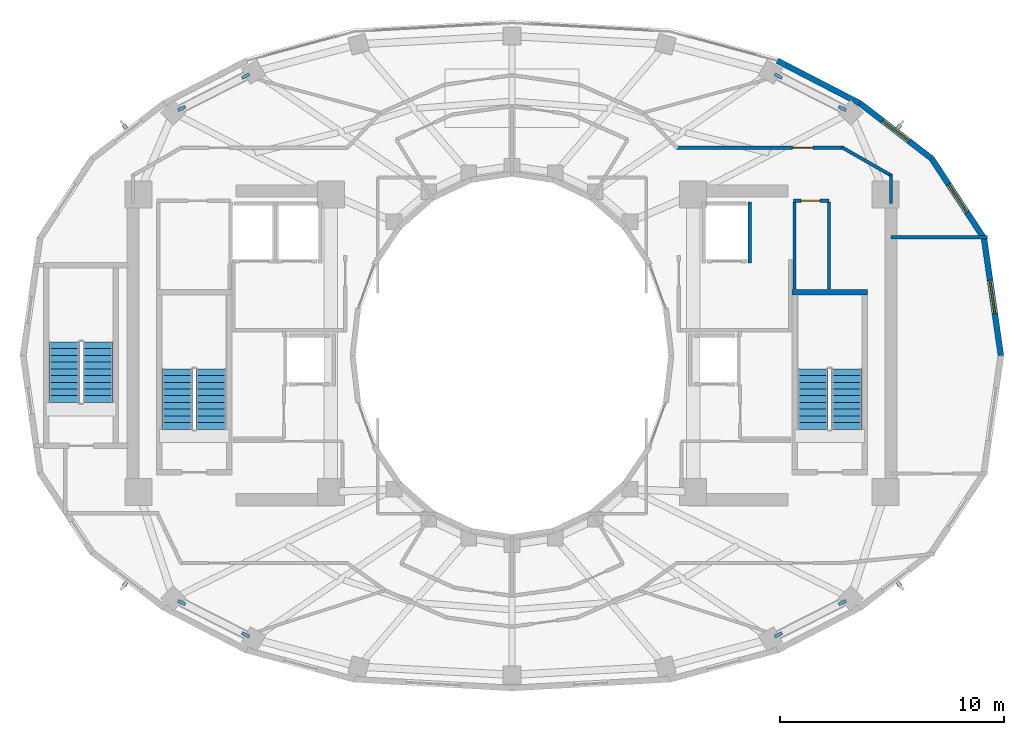
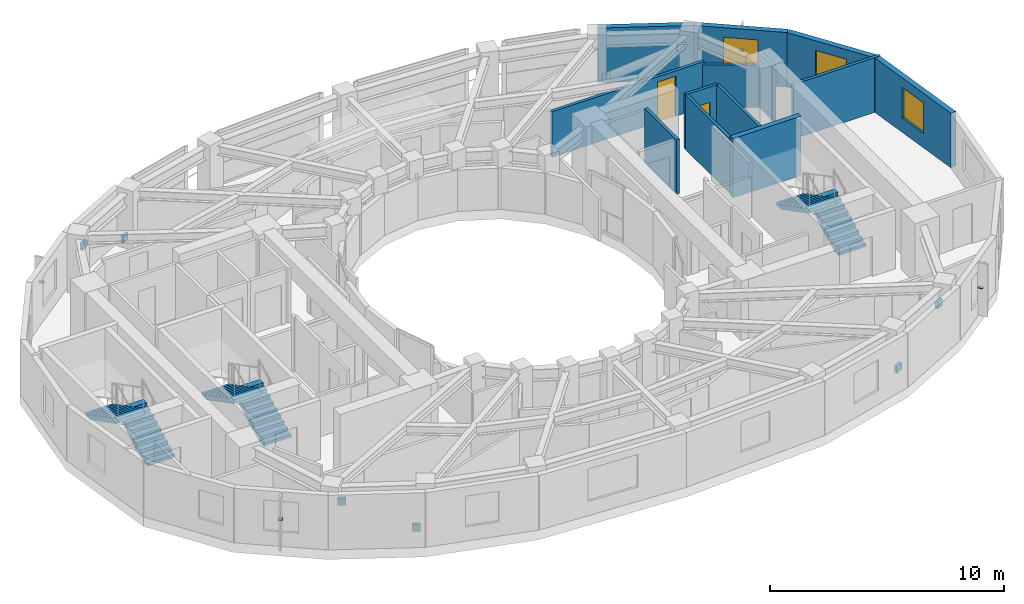
# One storey, part 16 of 19: 13 walls, 12 discrete accessories, 6 stair flights, 3 windows, 2 doors, 5 openings, 3 elements without a shape of their own.
"""IFC4 building model written with IfcOpenShell, lengths in metres."""

from ifc_helpers import new_model, si_unit, direction, frame, frame_2d, origin, origin_2d, place, context, subcontext, project, spatial, polyline, rectangle, outline, extrude, material, layer, layer_set, type_object, element, fill, aggregate, save


model = new_model("IFC4")

# Units and contexts
model_context = context("Model", 3, precision=1e-05, world=origin(), true_north=direction((0.0, 1.0)))
body_context = subcontext(model_context, "Body", "Model", "MODEL_VIEW")
ifc_project = project(units=[si_unit("LENGTHUNIT", "METRE"), si_unit("AREAUNIT", "SQUARE_METRE"), si_unit("VOLUMEUNIT", "CUBIC_METRE"), si_unit("PLANEANGLEUNIT", "RADIAN"), si_unit("MASSUNIT", "GRAM", prefix="KILO")], contexts=[model_context])

# Site, building, storey
site_placement = place(None, origin())
site = spatial("IfcSite", under=ifc_project, at=site_placement, CompositionType="ELEMENT")
building_placement = place(site_placement, origin())
building = spatial("IfcBuilding", under=site, at=building_placement, Name="Solvane Sanctuary Tower", CompositionType="ELEMENT")
storey_placement = place(building_placement, frame((0.0, 0.0, 201.60009765625)))
storey = spatial("IfcBuildingStorey", under=building, at=storey_placement, Name="L61", CompositionType="ELEMENT", Elevation=201.60009765625)

# Walls
ifc_material_1 = material(Name="Acoustic Gypsum Partition Board")
ifc_layer_1 = layer(ifc_material_1, 0.14990234375, Name="Acoustic Gypsum Partition Board")
ifc_layer_set_1 = layer_set([ifc_layer_1], Name="Acoustic Gypsum Partition Board")
wall_type_1 = type_object("IfcWallType", Name="Wall W-CORR-150", PredefinedType="PARTITIONING", material=ifc_layer_set_1)
wall_1_placement = place(storey_placement, frame((48.949951171875, 28.281494140625, 0.0), z_axis=(0.0, 0.0, 1.0), x_axis=(1.0, 0.0, 0.0)))
element("IfcWall", 1, at=wall_1_placement, inside=storey, type_object=wall_type_1, Name="L61 East Shoulder North Wall", PredefinedType="PARTITIONING", context=body_context, shape_type="SweptSolid", body=[
    extrude(rectangle(XDim=4.3203125, YDim=0.14990234375, at=frame_2d((2.16015625, 0.0))), origin(), (0.0, 0.0, 1.0), 2.85498046875),
])
wall_2_placement = place(storey_placement, frame((48.949951171875, 29.800048828125, 0.0), z_axis=(0.0, 0.0, 1.0), x_axis=(0.0, 1.0, 0.0)))
element("IfcWall", 2, at=wall_2_placement, inside=storey, type_object=wall_type_1, Name="L61 NE Corner Closer 1", PredefinedType="PARTITIONING", context=body_context, shape_type="SweptSolid", body=[
    extrude(rectangle(XDim=1.2900390625, YDim=0.14990234375, at=frame_2d((0.64501953125, 0.0))), origin(), (0.0, 0.0, 1.0), 2.85498046875),
])

# Wall, opening, door
wall_3_placement = place(storey_placement, frame((39.330078125, 32.280029296875, 0.0), z_axis=(0.0, 0.0, 1.0), x_axis=(1.0, 0.0, 0.0)))
wall_3 = element("IfcWall", 3, at=wall_3_placement, inside=storey, type_object=wall_type_1, Name="L61 NE Corner Corridor Wall", PredefinedType="PARTITIONING", context=body_context, shape_type="SweptSolid", body=[
    extrude(rectangle(XDim=7.52001953125, YDim=0.14990234375, at=frame_2d((3.760009765625, 0.0))), origin(), (0.0, 0.0, 1.0), 2.3759765625),
])
opening_1_placement = place(wall_3_placement, frame((5.219970703125, 0.0, 0.0)))
opening_1 = element("IfcOpeningElement", 4, at=opening_1_placement, cuts=wall_3, Name="Opening D-L61-17", PredefinedType="OPENING", context=body_context, shape_type="SweptSolid", body=[
    extrude(rectangle(XDim=0.89990234375, YDim=2.10009765625, at=frame_2d((0.449951171875, 1.050048828125))), frame((0.0, 0.0849609375, 0.0), z_axis=(0.0, -1.0, 0.0), x_axis=(1.0, 0.0, 0.0)), (0.0, 0.0, 1.0), 0.169921875),
])
ifc_material_2 = material(Name="Engineered Tropical Hardwood", Category="wood")
door_type_1 = type_object("IfcDoorType", Name="Door D-WET-900", OperationType="NOTDEFINED", PredefinedType="DOOR", material=ifc_material_2)
door_1_placement = place(opening_1_placement, origin())
door_1 = element("IfcDoor", 5, at=door_1_placement, inside=storey, type_object=door_type_1, Name="L61 NE Corner Salon Door", OperationType="SINGLE_SWING_LEFT", OverallHeight=2.10009765625, OverallWidth=0.89990234375, PredefinedType="DOOR", context=body_context, shape_type="SweptSolid", body=[
    extrude(rectangle(XDim=0.89990234375, YDim=2.10009765625, at=frame_2d((0.449951171875, 1.050048828125))), frame((0.0, 0.02490234375, 0.0), z_axis=(0.0, -1.0, 0.0), x_axis=(1.0, 0.0, 0.0)), (0.0, 0.0, 1.0), 0.050048828125),
])
fill(opening_1, door_1)

# Wall
wall_4_placement = place(storey_placement, frame((46.756591796875, 32.3046875, 0.0), z_axis=(0.0, 0.0, 1.0), x_axis=(0.867991349648, -0.496579315857, 0.0)))
element("IfcWall", 6, at=wall_4_placement, inside=storey, type_object=wall_type_1, Name="L61 NE Corner Wing Wall", PredefinedType="PARTITIONING", context=body_context, shape_type="SweptSolid", body=[
    extrude(rectangle(XDim=2.56689453125, YDim=0.14990234375, at=frame_2d((1.283447265625, 0.0))), origin(), (0.0, 0.0, 1.0), 2.219970703125),
])

# Wall, opening, window
ifc_material_3 = material(Name="Precast concrete C40/50", Category="concrete")
ifc_layer_2 = layer(ifc_material_3, 0.260009765625, Name="Precast concrete C40/50")
ifc_layer_set_2 = layer_set([ifc_layer_2], Name="Precast concrete C40/50")
wall_type_2 = type_object("IfcWallType", Name="Wall W-EXT-250", PredefinedType="STANDARD", material=ifc_layer_set_2)
wall_5_placement = place(storey_placement, frame((53.860107421875, 23.0, 0.0), z_axis=(0.0, 0.0, 1.0), x_axis=(-0.142712754019, 0.989764148593, 0.0)))
wall_5 = element("IfcWall", 7, at=wall_5_placement, inside=storey, type_object=wall_type_2, Name="L61 Ceramic-Printed Facade Wall 00", PredefinedType="STANDARD", context=body_context, shape_type="SweptSolid", body=[
    extrude(rectangle(XDim=5.29296875, YDim=0.260009765625, at=frame_2d((2.646484375, 0.0))), origin(), (0.0, 0.0, 1.0), 2.849853515625),
])
opening_2_placement = place(wall_5_placement, frame((1.896484375, 0.0, 0.75)))
opening_2 = element("IfcOpeningElement", 8, at=opening_2_placement, cuts=wall_5, Name="Opening WN-OPER-1500", PredefinedType="OPENING", context=body_context, shape_type="SweptSolid", body=[
    extrude(rectangle(XDim=1.5, YDim=1.60009765625, at=frame_2d((0.75, 0.800048828125))), frame((0.0, 0.139892578125, 0.0), z_axis=(0.0, -1.0, 0.0), x_axis=(1.0, 0.0, 0.0)), (0.0, 0.0, 1.0), 0.280029296875),
])
ifc_material_4 = material(Name="Dark Ceramic-Fritted Low-E Glass", Category="glass")
window_type = type_object("IfcWindowType", Name="Window WN-OPER-1500", PartitioningType="SINGLE_PANEL", PredefinedType="WINDOW", material=ifc_material_4)
window_1_placement = place(opening_2_placement, origin())
window_1 = element("IfcWindow", 9, at=window_1_placement, inside=storey, type_object=window_type, Name="L61 Operable Facade Window 00", OverallHeight=1.60009765625, OverallWidth=1.5, PartitioningType="SINGLE_PANEL", PredefinedType="WINDOW", context=body_context, shape_type="SweptSolid", body=[
    extrude(rectangle(XDim=1.5, YDim=1.60009765625, at=frame_2d((0.75, 0.800048828125))), frame((0.0, 0.030029296875, 0.0), z_axis=(0.0, -1.0, 0.0), x_axis=(1.0, 0.0, 0.0)), (0.0, 0.0, 1.0), 0.06005859375),
])
fill(opening_2, window_1)

wall_6_placement = place(storey_placement, frame((53.104736328125, 28.23876953125, 0.0), z_axis=(0.0, 0.0, 1.0), x_axis=(-0.548776305075, 0.835969238064, 0.0)))
wall_6 = element("IfcWall", 10, at=wall_6_placement, inside=storey, type_object=wall_type_2, Name="L61 Ceramic-Printed Facade Wall 01", PredefinedType="STANDARD", context=body_context, shape_type="SweptSolid", body=[
    extrude(rectangle(XDim=4.270751953125, YDim=0.260009765625, at=frame_2d((2.13525390625, 0.0))), origin(), (0.0, 0.0, 1.0), 2.849853515625),
])
opening_3_placement = place(wall_6_placement, frame((1.385498046875, 0.0, 0.75)))
opening_3 = element("IfcOpeningElement", 11, at=opening_3_placement, cuts=wall_6, Name="Opening WN-OPER-1500", PredefinedType="OPENING", context=body_context, shape_type="SweptSolid", body=[
    extrude(rectangle(XDim=1.5, YDim=1.60009765625, at=frame_2d((0.75, 0.800048828125))), frame((0.0, 0.139892578125, 0.0), z_axis=(0.0, -1.0, 0.0), x_axis=(1.0, 0.0, 0.0)), (0.0, 0.0, 1.0), 0.280029296875),
])
window_2_placement = place(opening_3_placement, origin())
window_2 = element("IfcWindow", 12, at=window_2_placement, inside=storey, type_object=window_type, Name="L61 Operable Facade Window 01", OverallHeight=1.60009765625, OverallWidth=1.5, PartitioningType="SINGLE_PANEL", PredefinedType="WINDOW", context=body_context, shape_type="SweptSolid", body=[
    extrude(rectangle(XDim=1.5, YDim=1.60009765625, at=frame_2d((0.75, 0.800048828125))), frame((0.0, 0.030029296875, 0.0), z_axis=(0.0, -1.0, 0.0), x_axis=(1.0, 0.0, 0.0)), (0.0, 0.0, 1.0), 0.06005859375),
])
fill(opening_3, window_2)

wall_7_placement = place(storey_placement, frame((50.760986328125, 31.80908203125, 0.0), z_axis=(0.0, 0.0, 1.0), x_axis=(-0.792713817907, 0.609593965603, 0.0)))
wall_7 = element("IfcWall", 13, at=wall_7_placement, inside=storey, type_object=wall_type_2, Name="L61 Ceramic-Printed Facade Wall 02", PredefinedType="STANDARD", context=body_context, shape_type="SweptSolid", body=[
    extrude(rectangle(XDim=4.041015625, YDim=0.260009765625, at=frame_2d((2.0205078125, 0.0))), origin(), (0.0, 0.0, 1.0), 2.849853515625),
])
opening_4_placement = place(wall_7_placement, frame((1.2705078125, 0.0, 0.75)))
opening_4 = element("IfcOpeningElement", 14, at=opening_4_placement, cuts=wall_7, Name="Opening WN-OPER-1500", PredefinedType="OPENING", context=body_context, shape_type="SweptSolid", body=[
    extrude(rectangle(XDim=1.5, YDim=1.60009765625, at=frame_2d((0.75, 0.800048828125))), frame((0.0, 0.139892578125, 0.0), z_axis=(0.0, -1.0, 0.0), x_axis=(1.0, 0.0, 0.0)), (0.0, 0.0, 1.0), 0.280029296875),
])
window_3_placement = place(opening_4_placement, origin())
window_3 = element("IfcWindow", 15, at=window_3_placement, inside=storey, type_object=window_type, Name="L61 Operable Facade Window 02", OverallHeight=1.60009765625, OverallWidth=1.5, PartitioningType="SINGLE_PANEL", PredefinedType="WINDOW", context=body_context, shape_type="SweptSolid", body=[
    extrude(rectangle(XDim=1.5, YDim=1.60009765625, at=frame_2d((0.75, 0.800048828125))), frame((0.0, 0.030029296875, 0.0), z_axis=(0.0, -1.0, 0.0), x_axis=(1.0, 0.0, 0.0)), (0.0, 0.0, 1.0), 0.06005859375),
])
fill(opening_4, window_3)

# Walls
wall_8_placement = place(storey_placement, frame((47.5576171875, 34.2724609375, 0.0), z_axis=(0.0, 0.0, 1.0), x_axis=(-0.88849146803, 0.458893137057, 0.0)))
element("IfcWall", 16, at=wall_8_placement, inside=storey, type_object=wall_type_2, Name="L61 Ceramic-Printed Facade Wall 03", PredefinedType="STANDARD", context=body_context, shape_type="SweptSolid", body=[
    extrude(rectangle(XDim=4.150390625, YDim=0.260009765625, at=frame_2d((2.0751953125, 0.0))), origin(), (0.0, 0.0, 1.0), 2.849853515625),
])
ifc_material_5 = material(Name="Concrete C50/60", Category="concrete")
ifc_layer_3 = layer(ifc_material_5, 0.14990234375, Name="Concrete C50/60")
ifc_layer_set_3 = layer_set([ifc_layer_3], Name="Concrete C50/60")
wall_type_3 = type_object("IfcWallType", Name="Wall W-SHAFT-150", PredefinedType="SOLIDWALL", material=ifc_layer_set_3)
wall_9_placement = place(storey_placement, frame((42.6298828125, 27.139892578125, 0.0), z_axis=(0.0, 0.0, 1.0), x_axis=(0.0, 1.0, 0.0)))
element("IfcWall", 17, at=wall_9_placement, inside=storey, type_object=wall_type_3, Name="L61 FFL-2 Lift Shaft Wall S2", PredefinedType="SOLIDWALL", context=body_context, shape_type="SweptSolid", body=[
    extrude(rectangle(XDim=2.72021484375, YDim=0.14990234375, at=frame_2d((1.360107421875, 0.0))), origin(), (0.0, 0.0, 1.0), 2.85498046875),
])
ifc_layer_4 = layer(ifc_material_5, 0.25, Name="Concrete C50/60")
ifc_layer_set_4 = layer_set([ifc_layer_4], Name="Concrete C50/60")
wall_type_4 = type_object("IfcWallType", Name="Wall W-SHAFT-250", PredefinedType="SOLIDWALL", material=ifc_layer_set_4)
wall_10_placement = place(storey_placement, frame((44.52490234375, 25.830078125, 0.0), z_axis=(0.0, 0.0, 1.0), x_axis=(1.0, 0.0, 0.0)))
element("IfcWall", 18, at=wall_10_placement, inside=storey, type_object=wall_type_4, Name="L61 ST-2 Load-Bearing Shaft Wall N", PredefinedType="SOLIDWALL", context=body_context, shape_type="SweptSolid", body=[
    extrude(rectangle(XDim=3.3701171875, YDim=0.25, at=frame_2d((1.68505859375, 0.0))), origin(), (0.0, 0.0, 1.0), 3.099853515625),
])

# Wall, opening, door
ifc_layer_5 = layer(ifc_material_1, 0.139892578125, Name="Acoustic Gypsum Partition Board")
ifc_layer_set_5 = layer_set([ifc_layer_5], Name="Acoustic Gypsum Partition Board")
wall_type_5 = type_object("IfcWallType", Name="Wall W-WET-140", PredefinedType="PLUMBINGWALL", material=ifc_layer_set_5)
wall_11_placement = place(storey_placement, frame((44.580078125, 29.919921875, 0.0), z_axis=(0.0, 0.0, 1.0), x_axis=(1.0, 0.0, 0.0)))
wall_11 = element("IfcWall", 19, at=wall_11_placement, inside=storey, type_object=wall_type_5, Name="L61 Core Service Front Wall KE0S", PredefinedType="PLUMBINGWALL", context=body_context, shape_type="SweptSolid", body=[
    extrude(rectangle(XDim=1.599853515625, YDim=0.139892578125, at=frame_2d((0.7998046875, 0.0))), origin(), (0.0, 0.0, 1.0), 2.85498046875),
])
opening_5_placement = place(wall_11_placement, frame((0.35009765625, 0.0, 0.0)))
opening_5 = element("IfcOpeningElement", 20, at=opening_5_placement, cuts=wall_11, Name="Opening D-L61-11", PredefinedType="OPENING", context=body_context, shape_type="SweptSolid", body=[
    extrude(rectangle(XDim=0.85009765625, YDim=2.050048828125, at=frame_2d((0.425048828125, 1.02490234375))), frame((0.0, 0.079833984375, 0.0), z_axis=(0.0, -1.0, 0.0), x_axis=(1.0, 0.0, 0.0)), (0.0, 0.0, 1.0), 0.159912109375),
])
ifc_material_6 = material(Name="Architectural Stainless Steel 316", Category="steel")
door_type_2 = type_object("IfcDoorType", Name="Door D-RISER", OperationType="NOTDEFINED", PredefinedType="DOOR", material=ifc_material_6)
door_2_placement = place(opening_5_placement, origin())
door_2 = element("IfcDoor", 21, at=door_2_placement, inside=storey, type_object=door_type_2, Name="L61 Core Service Room Door KE0S-1", OperationType="SINGLE_SWING_LEFT", OverallHeight=2.050048828125, OverallWidth=0.85009765625, PredefinedType="DOOR", context=body_context, shape_type="SweptSolid", body=[
    extrude(rectangle(XDim=0.85009765625, YDim=2.050048828125, at=frame_2d((0.425048828125, 1.02490234375))), frame((0.0, 0.02490234375, 0.0), z_axis=(0.0, -1.0, 0.0), x_axis=(1.0, 0.0, 0.0)), (0.0, 0.0, 1.0), 0.050048828125),
])
fill(opening_5, door_2)

# Walls
for number, where, z_axis, x_axis, name in (
    (22, (44.639892578125, 25.97998046875, 0.0), (0.0, 0.0, 1.0), (0.0, 1.0, 0.0), "L61 Core Service Side Wall KE0S-1"),
    (23, (46.179931640625, 25.97998046875, 0.0), (0.0, 0.0, 1.0), (0.0, 1.0, 0.0), "L61 Core Service Side Wall KE0S-2"),
):
    element("IfcWall", number, at=place(storey_placement, frame(where, z_axis=z_axis, x_axis=x_axis)), inside=storey, type_object=wall_type_5, Name=name, PredefinedType="PLUMBINGWALL", context=body_context, shape_type="SweptSolid", body=[
        extrude(rectangle(XDim=3.880126953125, YDim=0.139892578125, at=frame_2d((1.93994140625, 0.0))), origin(), (0.0, 0.0, 1.0), 2.85498046875),
    ])

# Stair, stair flights
ifc_material_7 = material(Name="Concrete C45/55", Category="concrete")
stair_type = type_object("IfcStairType", Name="Stair ST-TOW", PredefinedType="HALF_TURN_STAIR", material=ifc_material_7)
stair_1_placement = place(storey_placement, origin())
stair_1 = element("IfcStair", 24, at=stair_1_placement, inside=storey, type_object=stair_type, Name="L61 Exit Stair ST-1 West Core", PredefinedType="HALF_TURN_STAIR")
stair_flight_type = type_object("IfcStairFlightType", Name="StairFlight SF-TOW", PredefinedType="STRAIGHT", material=ifc_material_7)
stair_flight_1_placement = place(storey_placement, frame((18.544921875, 19.699951171875, 0.0), z_axis=(0.0, 0.0, 1.0), x_axis=(0.0, 1.0, 0.0)))
stair_flight_1 = element("IfcStairFlight", 25, at=stair_flight_1_placement, type_object=stair_flight_type, Name="ST-1 flight 1", NumberOfRisers=10, NumberOfTreads=9, PredefinedType="STRAIGHT", RiserHeight=0.155, TreadLength=0.3, context=body_context, shape_type="SweptSolid", body=[
    extrude(outline(polyline([(0.0, 0.0), (0.0, 0.155029296875), (0.300048828125, 0.155029296875), (0.300048828125, 0.31005859375), (0.60009765625, 0.31005859375), (0.60009765625, 0.465087890625), (0.89990234375, 0.465087890625), (0.89990234375, 0.6201171875), (1.199951171875, 0.6201171875), (1.199951171875, 0.77490234375), (1.5, 0.77490234375), (1.5, 0.929931640625), (1.800048828125, 0.929931640625), (1.800048828125, 1.0849609375), (2.10009765625, 1.0849609375), (2.10009765625, 1.239990234375), (2.39990234375, 1.239990234375), (2.39990234375, 1.39501953125), (2.699951171875, 1.39501953125), (2.699951171875, 1.550048828125), (2.699951171875, 1.1923828125), (0.39208984375, 0.0), (0.0, 0.0)])), frame((0.0, 0.675048828125, 0.0), z_axis=(0.0, -1.0, 0.0), x_axis=(1.0, 0.0, 0.0)), (0.0, 0.0, 1.0), 1.35009765625),
])
stair_flight_2_placement = place(storey_placement, frame((17.034912109375, 22.39990234375, 1.5498046875), z_axis=(0.0, 0.0, 1.0), x_axis=(0.0, -1.0, 0.0)))
stair_flight_2 = element("IfcStairFlight", 26, at=stair_flight_2_placement, type_object=stair_flight_type, Name="ST-1 flight 2", NumberOfRisers=10, NumberOfTreads=9, PredefinedType="STRAIGHT", RiserHeight=0.155, TreadLength=0.3, context=body_context, shape_type="SweptSolid", body=[
    extrude(outline(polyline([(0.0, 0.0), (0.0, 0.155029296875), (0.300048828125, 0.155029296875), (0.300048828125, 0.31005859375), (0.60009765625, 0.31005859375), (0.60009765625, 0.465087890625), (0.89990234375, 0.465087890625), (0.89990234375, 0.6201171875), (1.199951171875, 0.6201171875), (1.199951171875, 0.77490234375), (1.5, 0.77490234375), (1.5, 0.929931640625), (1.800048828125, 0.929931640625), (1.800048828125, 1.0849609375), (2.10009765625, 1.0849609375), (2.10009765625, 1.239990234375), (2.39990234375, 1.239990234375), (2.39990234375, 1.39501953125), (2.699951171875, 1.39501953125), (2.699951171875, 1.550048828125), (2.699951171875, 1.1923828125), (0.39208984375, 0.0), (0.0, 0.0)])), frame((0.0, 0.675048828125, 0.0), z_axis=(0.0, -1.0, 0.0), x_axis=(1.0, 0.0, 0.0)), (0.0, 0.0, 1.0), 1.35009765625),
])
aggregate(stair_1, [stair_flight_1, stair_flight_2])

stair_2_placement = place(storey_placement, origin())
stair_2 = element("IfcStair", 27, at=stair_2_placement, inside=storey, type_object=stair_type, Name="L61 Exit Stair ST-2 East Core", PredefinedType="HALF_TURN_STAIR")
stair_flight_3_placement = place(storey_placement, frame((46.965087890625, 19.699951171875, 0.0), z_axis=(0.0, 0.0, 1.0), x_axis=(0.0, 1.0, 0.0)))
stair_flight_3 = element("IfcStairFlight", 28, at=stair_flight_3_placement, type_object=stair_flight_type, Name="ST-2 flight 1", NumberOfRisers=10, NumberOfTreads=9, PredefinedType="STRAIGHT", RiserHeight=0.155, TreadLength=0.3, context=body_context, shape_type="SweptSolid", body=[
    extrude(outline(polyline([(0.0, 0.0), (0.0, 0.155029296875), (0.300048828125, 0.155029296875), (0.300048828125, 0.31005859375), (0.60009765625, 0.31005859375), (0.60009765625, 0.465087890625), (0.89990234375, 0.465087890625), (0.89990234375, 0.6201171875), (1.199951171875, 0.6201171875), (1.199951171875, 0.77490234375), (1.5, 0.77490234375), (1.5, 0.929931640625), (1.800048828125, 0.929931640625), (1.800048828125, 1.0849609375), (2.10009765625, 1.0849609375), (2.10009765625, 1.239990234375), (2.39990234375, 1.239990234375), (2.39990234375, 1.39501953125), (2.699951171875, 1.39501953125), (2.699951171875, 1.550048828125), (2.699951171875, 1.1923828125), (0.39208984375, 0.0), (0.0, 0.0)])), frame((0.0, 0.675048828125, 0.0), z_axis=(0.0, -1.0, 0.0), x_axis=(1.0, 0.0, 0.0)), (0.0, 0.0, 1.0), 1.35009765625),
])
stair_flight_4_placement = place(storey_placement, frame((45.455078125, 22.39990234375, 1.5498046875), z_axis=(0.0, 0.0, 1.0), x_axis=(0.0, -1.0, 0.0)))
stair_flight_4 = element("IfcStairFlight", 29, at=stair_flight_4_placement, type_object=stair_flight_type, Name="ST-2 flight 2", NumberOfRisers=10, NumberOfTreads=9, PredefinedType="STRAIGHT", RiserHeight=0.155, TreadLength=0.3, context=body_context, shape_type="SweptSolid", body=[
    extrude(outline(polyline([(0.0, 0.0), (0.0, 0.155029296875), (0.300048828125, 0.155029296875), (0.300048828125, 0.31005859375), (0.60009765625, 0.31005859375), (0.60009765625, 0.465087890625), (0.89990234375, 0.465087890625), (0.89990234375, 0.6201171875), (1.199951171875, 0.6201171875), (1.199951171875, 0.77490234375), (1.5, 0.77490234375), (1.5, 0.929931640625), (1.800048828125, 0.929931640625), (1.800048828125, 1.0849609375), (2.10009765625, 1.0849609375), (2.10009765625, 1.239990234375), (2.39990234375, 1.239990234375), (2.39990234375, 1.39501953125), (2.699951171875, 1.39501953125), (2.699951171875, 1.550048828125), (2.699951171875, 1.1923828125), (0.39208984375, 0.0), (0.0, 0.0)])), frame((0.0, 0.675048828125, 0.0), z_axis=(0.0, -1.0, 0.0), x_axis=(1.0, 0.0, 0.0)), (0.0, 0.0, 1.0), 1.35009765625),
])
aggregate(stair_2, [stair_flight_3, stair_flight_4])

stair_3_placement = place(storey_placement, origin())
stair_3 = element("IfcStair", 30, at=stair_3_placement, inside=storey, type_object=stair_type, Name="L61 Exit Stair ST-3 Pilgrim Tower Stair", PredefinedType="HALF_TURN_STAIR")
stair_flight_5_placement = place(storey_placement, frame((13.485107421875, 20.89990234375, 0.0), z_axis=(0.0, 0.0, 1.0), x_axis=(0.0, 1.0, 0.0)))
stair_flight_5 = element("IfcStairFlight", 31, at=stair_flight_5_placement, type_object=stair_flight_type, Name="ST-3 flight 1", NumberOfRisers=10, NumberOfTreads=9, PredefinedType="STRAIGHT", RiserHeight=0.155, TreadLength=0.3, context=body_context, shape_type="SweptSolid", body=[
    extrude(outline(polyline([(0.0, 0.0), (0.0, 0.155029296875), (0.300048828125, 0.155029296875), (0.300048828125, 0.31005859375), (0.60009765625, 0.31005859375), (0.60009765625, 0.465087890625), (0.89990234375, 0.465087890625), (0.89990234375, 0.6201171875), (1.199951171875, 0.6201171875), (1.199951171875, 0.77490234375), (1.5, 0.77490234375), (1.5, 0.929931640625), (1.800048828125, 0.929931640625), (1.800048828125, 1.0849609375), (2.10009765625, 1.0849609375), (2.10009765625, 1.239990234375), (2.39990234375, 1.239990234375), (2.39990234375, 1.39501953125), (2.699951171875, 1.39501953125), (2.699951171875, 1.550048828125), (2.699951171875, 1.1923828125), (0.39208984375, 0.0), (0.0, 0.0)])), frame((0.0, 0.675048828125, 0.0), z_axis=(0.0, -1.0, 0.0), x_axis=(1.0, 0.0, 0.0)), (0.0, 0.0, 1.0), 1.35009765625),
])
stair_flight_6_placement = place(storey_placement, frame((11.97509765625, 23.60009765625, 1.5498046875), z_axis=(0.0, 0.0, 1.0), x_axis=(0.0, -1.0, 0.0)))
stair_flight_6 = element("IfcStairFlight", 32, at=stair_flight_6_placement, type_object=stair_flight_type, Name="ST-3 flight 2", NumberOfRisers=10, NumberOfTreads=9, PredefinedType="STRAIGHT", RiserHeight=0.155, TreadLength=0.3, context=body_context, shape_type="SweptSolid", body=[
    extrude(outline(polyline([(0.0, 0.0), (0.0, 0.155029296875), (0.300048828125, 0.155029296875), (0.300048828125, 0.31005859375), (0.60009765625, 0.31005859375), (0.60009765625, 0.465087890625), (0.89990234375, 0.465087890625), (0.89990234375, 0.6201171875), (1.199951171875, 0.6201171875), (1.199951171875, 0.77490234375), (1.5, 0.77490234375), (1.5, 0.929931640625), (1.800048828125, 0.929931640625), (1.800048828125, 1.0849609375), (2.10009765625, 1.0849609375), (2.10009765625, 1.239990234375), (2.39990234375, 1.239990234375), (2.39990234375, 1.39501953125), (2.699951171875, 1.39501953125), (2.699951171875, 1.550048828125), (2.699951171875, 1.1923828125), (0.39208984375, 0.0), (0.0, 0.0)])), frame((0.0, 0.675048828125, 0.0), z_axis=(0.0, -1.0, 0.0), x_axis=(1.0, 0.0, 0.0)), (0.0, 0.0, 1.0), 1.35009765625),
])
aggregate(stair_3, [stair_flight_5, stair_flight_6])

# Discrete accessories
ifc_material_8 = material(Name="Steel ASTM A572 Grade 50", Category="steel")
ifc_layer_6 = layer(ifc_material_8, 0.360107421875, Name="Steel ASTM A572 Grade 50")
ifc_layer_set_6 = layer_set([ifc_layer_6], Name="Steel ASTM A572 Grade 50")
discrete_accessory_type_1 = type_object("IfcDiscreteAccessoryType", Name="Accessory ACC-GUSSET-BRK", PredefinedType="BRACKET", material=ifc_layer_set_6)
for number, where, z_axis, x_axis, name in (
    (33, (43.916748046875, 35.48974609375, 0.38818359375), (0.0, 0.0, 1.0), (0.892349617181, -0.451344835704, 0.0), "L61 Perimeter Braced-Tube Diagonal NE End Gusset Bracket A"),
    (34, (46.76513671875, 34.049072265625, 1.8720703125), (0.0, 0.0, 1.0), (0.892349617181, -0.451344835704, 0.0), "L61 Perimeter Braced-Tube Diagonal NE End Gusset Bracket B"),
    (35, (20.083251953125, 35.48974609375, 0.38818359375), (0.0, 0.0, 1.0), (-0.892349617181, -0.451344835704, 0.0), "L61 Perimeter Braced-Tube Diagonal NW End Gusset Bracket A"),
    (36, (17.23486328125, 34.049072265625, 1.8720703125), (0.0, 0.0, 1.0), (-0.892349617181, -0.451344835704, 0.0), "L61 Perimeter Braced-Tube Diagonal NW End Gusset Bracket B"),
    (37, (20.083251953125, 10.51025390625, 0.38818359375), (0.0, 0.0, 1.0), (-0.892349617181, 0.451344835704, 0.0), "L61 Perimeter Braced-Tube Diagonal SW End Gusset Bracket A"),
    (38, (17.23486328125, 11.950927734375, 1.8720703125), (0.0, 0.0, 1.0), (-0.892349617181, 0.451344835704, 0.0), "L61 Perimeter Braced-Tube Diagonal SW End Gusset Bracket B"),
    (39, (43.916748046875, 10.51025390625, 0.38818359375), (0.0, 0.0, 1.0), (0.892349617181, 0.451344835704, 0.0), "L61 Perimeter Braced-Tube Diagonal SE End Gusset Bracket A"),
    (40, (46.76513671875, 11.950927734375, 1.8720703125), (0.0, 0.0, 1.0), (0.892349617181, 0.451344835704, 0.0), "L61 Perimeter Braced-Tube Diagonal SE End Gusset Bracket B"),
):
    element("IfcDiscreteAccessory", number, at=place(storey_placement, frame(where, z_axis=z_axis, x_axis=x_axis)), inside=storey, type_object=discrete_accessory_type_1, Name=name, PredefinedType="BRACKET", context=body_context, shape_type="SweptSolid", body=[
        extrude(rectangle(XDim=0.360107421875, YDim=0.139892578125, at=origin_2d()), origin(), (0.0, 0.0, 1.0), 0.360107421875),
    ])
ifc_material_9 = material(Name="Steel ASTM A500 Grade C", Category="steel")
ifc_layer_7 = layer(ifc_material_9, 0.02490234375, Name="Steel ASTM A500 Grade C")
ifc_layer_set_7 = layer_set([ifc_layer_7], Name="Steel ASTM A500 Grade C")
discrete_accessory_type_2 = type_object("IfcDiscreteAccessoryType", Name="Accessory BRK-FACADE", PredefinedType="BRACKET", material=ifc_layer_set_7)
for number, where, z_axis, x_axis, name in (
    (41, (49.3056640625, 33.23095703125, 1.487548828125), (0.0, 0.0, 1.0), (-0.792707964296, 0.609601577542, 0.0), "L61 Solar Fin Bracket 02"),
    (42, (14.6943359375, 33.23095703125, 1.487548828125), (0.0, 0.0, 1.0), (-0.792707964296, -0.609601577542, 0.0), "L61 Solar Fin Bracket 09"),
    (43, (14.6943359375, 12.76904296875, 1.487548828125), (0.0, 0.0, 1.0), (0.792707964296, -0.609601577542, 0.0), "L61 Solar Fin Bracket 14"),
    (44, (49.3056640625, 12.76904296875, 1.487548828125), (0.0, 0.0, 1.0), (0.792707964296, 0.609601577542, 0.0), "L61 Solar Fin Bracket 21"),
):
    element("IfcDiscreteAccessory", number, at=place(storey_placement, frame(where, z_axis=z_axis, x_axis=x_axis)), inside=storey, type_object=discrete_accessory_type_2, Name=name, PredefinedType="BRACKET", context=body_context, shape_type="SweptSolid", body=[
        extrude(rectangle(XDim=0.179931640625, YDim=0.239990234375, at=origin_2d()), origin(), (0.0, 0.0, 1.0), 0.02490234375),
    ])

save(model, "model.ifc")
